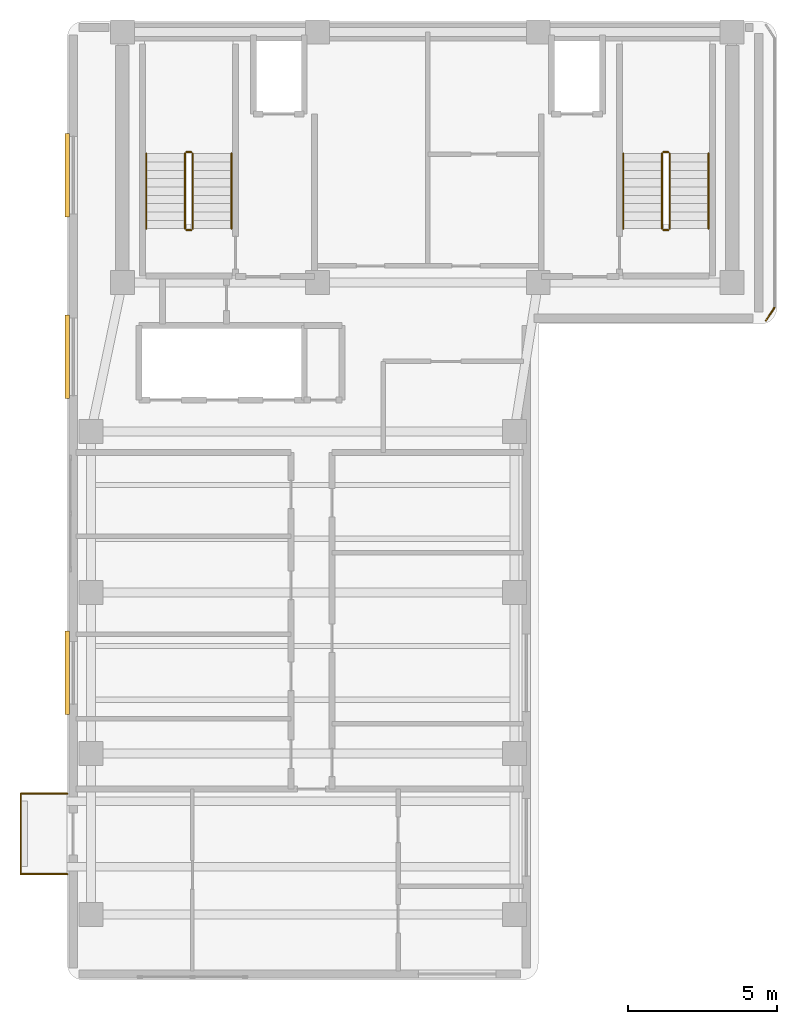
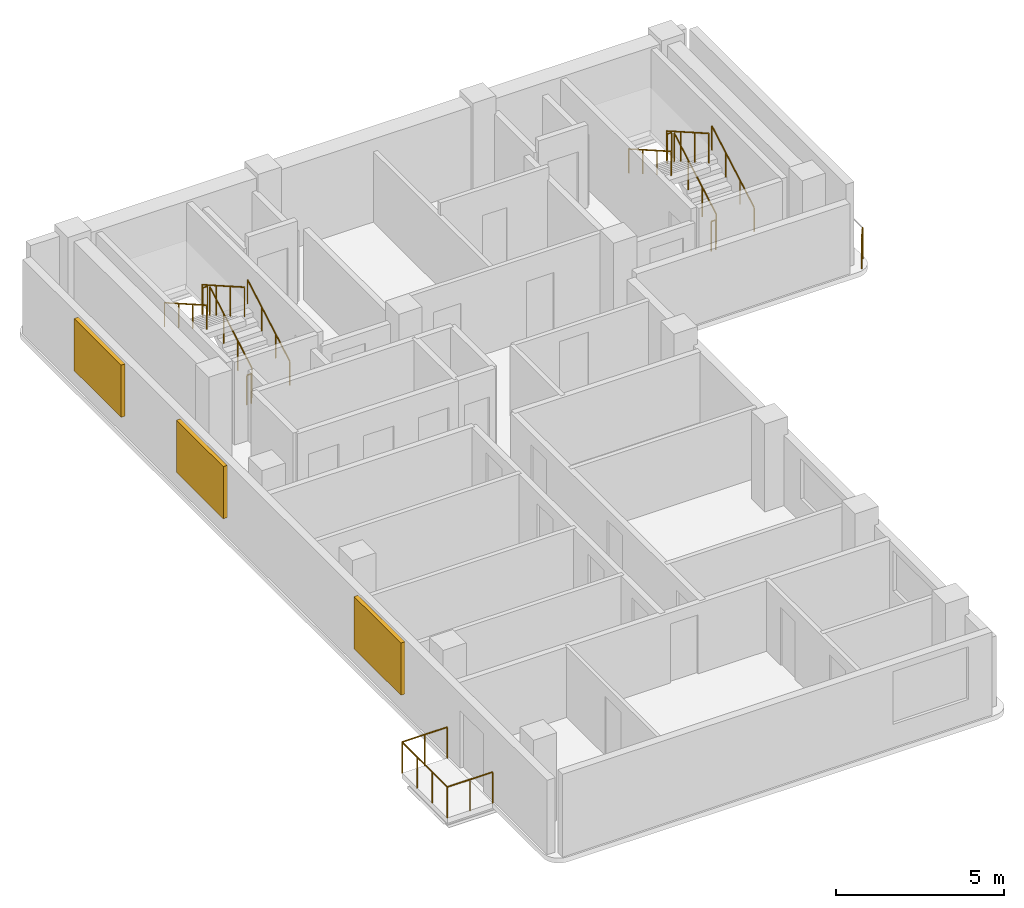
# One storey, part 10 of 11: 16 railings, 3 shading devices.
"""IFC4 building model written with IfcOpenShell, lengths in metres."""

from ifc_helpers import new_model, si_unit, direction, frame, origin, origin_2d, place, context, subcontext, project, spatial, rectangle, circle, extrude, material, layer, layer_set, type_object, element, save


model = new_model("IFC4")

# Units and contexts
model_context = context("Model", 3, precision=1e-05, world=origin(), true_north=direction((0.0, 1.0)))
body_context = subcontext(model_context, "Body", "Model", "MODEL_VIEW")
ifc_project = project(units=[si_unit("LENGTHUNIT", "METRE"), si_unit("AREAUNIT", "SQUARE_METRE"), si_unit("VOLUMEUNIT", "CUBIC_METRE"), si_unit("PLANEANGLEUNIT", "RADIAN"), si_unit("MASSUNIT", "GRAM", prefix="KILO")], contexts=[model_context])

# Site, building, storey
site_placement = place(None, origin())
site = spatial("IfcSite", under=ifc_project, at=site_placement, CompositionType="ELEMENT")
building_placement = place(site_placement, origin())
building = spatial("IfcBuilding", under=site, at=building_placement, Name="Kuzgunbayir Cultural Tower", CompositionType="ELEMENT")
storey_placement = place(building_placement, frame((0.0, 0.0, 237.60009765625)))
storey = spatial("IfcBuildingStorey", under=building, at=storey_placement, Name="L70", CompositionType="ELEMENT", Elevation=237.60009765625)

# Railings
ifc_material_1 = material(Name="Laminated Glass and Stainless Steel", Category="steel")
ifc_layer_1 = layer(ifc_material_1, 0.080078125)
ifc_layer_set_1 = layer_set([ifc_layer_1], Name="Laminated Glass and Stainless Steel")
railing_type_1 = type_object("IfcRailingType", Name="RLG-BAL-115", PredefinedType="BALUSTRADE", material=ifc_layer_set_1)
railing_1_placement = place(storey_placement, frame((4.60009765625, 13.949951171875, 0.0)))
element("IfcRailing", 1, at=railing_1_placement, inside=storey, type_object=railing_type_1, Name="L70 Balcony Guard BAL-L70-WA1 Segment 1", PredefinedType="BALUSTRADE", context=body_context, shape_type="SweptSolid", body=[
    extrude(circle(Radius=0.02392578125, at=origin_2d()), frame((0.0, 0.0, 1.1259765625), z_axis=(-1.0, 0.0, 0.0), x_axis=(0.0, -1.0, 0.0)), (0.0, 0.0, 1.0), 1.56005859375),
    extrude(circle(Radius=0.02099609375, at=origin_2d()), origin(), (0.0, 0.0, 1.0), 1.101806640625),
    extrude(circle(Radius=0.02099609375, at=origin_2d()), frame((-0.780029296875, 0.0, 0.0)), (0.0, 0.0, 1.0), 1.101806640625),
    extrude(circle(Radius=0.02099609375, at=origin_2d()), frame((-1.56005859375, 0.0, 0.0)), (0.0, 0.0, 1.0), 1.101806640625),
])
railing_2_placement = place(storey_placement, frame((3.0400390625, 13.949951171875, 0.0)))
element("IfcRailing", 2, at=railing_2_placement, inside=storey, type_object=railing_type_1, Name="L70 Balcony Guard BAL-L70-WA1 Segment 2", PredefinedType="BALUSTRADE", context=body_context, shape_type="SweptSolid", body=[
    extrude(circle(Radius=0.02392578125, at=origin_2d()), frame((0.0, 0.0, 1.1259765625), z_axis=(0.0, 1.0, 0.0), x_axis=(-1.0, 0.0, 0.0)), (0.0, 0.0, 1.0), 2.699951171875),
    extrude(circle(Radius=0.02099609375, at=origin_2d()), origin(), (0.0, 0.0, 1.0), 1.101806640625),
    extrude(circle(Radius=0.02099609375, at=origin_2d()), frame((0.0, 0.89990234375, 0.0)), (0.0, 0.0, 1.0), 1.101806640625),
    extrude(circle(Radius=0.02099609375, at=origin_2d()), frame((0.0, 1.800048828125, 0.0)), (0.0, 0.0, 1.0), 1.101806640625),
    extrude(circle(Radius=0.02099609375, at=origin_2d()), frame((0.0, 2.699951171875, 0.0)), (0.0, 0.0, 1.0), 1.101806640625),
])
railing_3_placement = place(storey_placement, frame((3.0400390625, 16.64990234375, 0.0)))
element("IfcRailing", 3, at=railing_3_placement, inside=storey, type_object=railing_type_1, Name="L70 Balcony Guard BAL-L70-WA1 Segment 3", PredefinedType="BALUSTRADE", context=body_context, shape_type="SweptSolid", body=[
    extrude(circle(Radius=0.02392578125, at=origin_2d()), frame((0.0, 0.0, 1.1259765625), z_axis=(1.0, 0.0, 0.0), x_axis=(0.0, 1.0, 0.0)), (0.0, 0.0, 1.0), 1.56005859375),
    extrude(circle(Radius=0.02099609375, at=origin_2d()), origin(), (0.0, 0.0, 1.0), 1.101806640625),
    extrude(circle(Radius=0.02099609375, at=origin_2d()), frame((0.780029296875, 0.0, 0.0)), (0.0, 0.0, 1.0), 1.101806640625),
    extrude(circle(Radius=0.02099609375, at=origin_2d()), frame((1.56005859375, 0.0, 0.0)), (0.0, 0.0, 1.0), 1.101806640625),
])
railing_4_placement = place(storey_placement, frame((28.320068359375, 32.949951171875, 0.0)))
element("IfcRailing", 4, at=railing_4_placement, inside=storey, type_object=railing_type_1, Name="L70 Perimeter Edge Guard 3", PredefinedType="BALUSTRADE", context=body_context, shape_type="SweptSolid", body=[
    extrude(circle(Radius=0.02392578125, at=origin_2d()), frame((0.0, 0.0, 1.1259765625), z_axis=(-0.545774188207, -0.837932297675, 0.0), x_axis=(0.837932297675, -0.545774188207, 0.0)), (0.0, 0.0, 1.0), 0.51318359375),
    extrude(circle(Radius=0.02099609375, at=origin_2d()), origin(), (0.0, 0.0, 1.0), 1.101806640625),
    extrude(circle(Radius=0.02099609375, at=origin_2d()), frame((-0.280029296875, -0.429931640625, 0.0)), (0.0, 0.0, 1.0), 1.101806640625),
])
ifc_material_2 = material(Name="Brushed Stainless Steel", Category="steel")
ifc_layer_2 = layer(ifc_material_2, 0.050048828125)
ifc_layer_set_2 = layer_set([ifc_layer_2], Name="Brushed Stainless Steel")
railing_type_2 = type_object("IfcRailingType", Name="RLG-STAIR-HANDRAIL", PredefinedType="HANDRAIL", material=ifc_layer_set_2)
railing_5_placement = place(storey_placement, frame((10.110107421875, 35.60009765625, 0.159912109375)))
element("IfcRailing", 5, at=railing_5_placement, inside=storey, type_object=railing_type_2, Name="L70 ST-1 stair handrail 1", PredefinedType="HANDRAIL", context=body_context, shape_type="SweptSolid", body=[
    extrude(circle(Radius=0.02392578125, at=origin_2d()), frame((0.0, 0.0, 0.8759765625), z_axis=(0.0, 0.868253494771, 0.496120820787), x_axis=(-1.0, 0.0, 0.0)), (0.0, 0.0, 1.0), 2.90234375),
    extrude(circle(Radius=0.02099609375, at=origin_2d()), origin(), (0.0, 0.0, 1.0), 0.851806640625),
    extrude(circle(Radius=0.02099609375, at=origin_2d()), frame((0.0, 0.840087890625, 0.47998046875)), (0.0, 0.0, 1.0), 0.851806640625),
    extrude(circle(Radius=0.02099609375, at=origin_2d()), frame((0.0, 1.679931640625, 0.9599609375)), (0.0, 0.0, 1.0), 0.851806640625),
    extrude(circle(Radius=0.02099609375, at=origin_2d()), frame((0.0, 2.52001953125, 1.43994140625)), (0.0, 0.0, 1.0), 0.851806640625),
])
railing_6_placement = place(storey_placement, frame((7.25, 38.1201171875, 1.760009765625)))
element("IfcRailing", 6, at=railing_6_placement, inside=storey, type_object=railing_type_2, Name="L70 ST-1 stair handrail 2", PredefinedType="HANDRAIL", context=body_context, shape_type="SweptSolid", body=[
    extrude(circle(Radius=0.02392578125, at=origin_2d()), frame((0.0, 0.0, 0.8759765625), z_axis=(0.0, -0.868253494771, 0.496120820787), x_axis=(1.0, 0.0, 0.0)), (0.0, 0.0, 1.0), 2.90234375),
    extrude(circle(Radius=0.02099609375, at=origin_2d()), origin(), (0.0, 0.0, 1.0), 0.851806640625),
    extrude(circle(Radius=0.02099609375, at=origin_2d()), frame((0.0, -0.840087890625, 0.47998046875)), (0.0, 0.0, 1.0), 0.851806640625),
    extrude(circle(Radius=0.02099609375, at=origin_2d()), frame((0.0, -1.679931640625, 0.9599609375)), (0.0, 0.0, 1.0), 0.851806640625),
    extrude(circle(Radius=0.02099609375, at=origin_2d()), frame((0.0, -2.52001953125, 1.43994140625)), (0.0, 0.0, 1.0), 0.851806640625),
])
railing_7_placement = place(storey_placement, frame((26.110107421875, 35.60009765625, 0.159912109375)))
element("IfcRailing", 7, at=railing_7_placement, inside=storey, type_object=railing_type_2, Name="L70 ST-2 stair handrail 1", PredefinedType="HANDRAIL", context=body_context, shape_type="SweptSolid", body=[
    extrude(circle(Radius=0.02392578125, at=origin_2d()), frame((0.0, 0.0, 0.8759765625), z_axis=(0.0, 0.868253494771, 0.496120820787), x_axis=(-1.0, 0.0, 0.0)), (0.0, 0.0, 1.0), 2.90234375),
    extrude(circle(Radius=0.02099609375, at=origin_2d()), origin(), (0.0, 0.0, 1.0), 0.851806640625),
    extrude(circle(Radius=0.02099609375, at=origin_2d()), frame((0.0, 0.840087890625, 0.47998046875)), (0.0, 0.0, 1.0), 0.851806640625),
    extrude(circle(Radius=0.02099609375, at=origin_2d()), frame((0.0, 1.679931640625, 0.9599609375)), (0.0, 0.0, 1.0), 0.851806640625),
    extrude(circle(Radius=0.02099609375, at=origin_2d()), frame((0.0, 2.52001953125, 1.43994140625)), (0.0, 0.0, 1.0), 0.851806640625),
])
railing_8_placement = place(storey_placement, frame((23.25, 38.1201171875, 1.760009765625)))
element("IfcRailing", 8, at=railing_8_placement, inside=storey, type_object=railing_type_2, Name="L70 ST-2 stair handrail 2", PredefinedType="HANDRAIL", context=body_context, shape_type="SweptSolid", body=[
    extrude(circle(Radius=0.02392578125, at=origin_2d()), frame((0.0, 0.0, 0.8759765625), z_axis=(0.0, -0.868253494771, 0.496120820787), x_axis=(1.0, 0.0, 0.0)), (0.0, 0.0, 1.0), 2.90234375),
    extrude(circle(Radius=0.02099609375, at=origin_2d()), origin(), (0.0, 0.0, 1.0), 0.851806640625),
    extrude(circle(Radius=0.02099609375, at=origin_2d()), frame((0.0, -0.840087890625, 0.47998046875)), (0.0, 0.0, 1.0), 0.851806640625),
    extrude(circle(Radius=0.02099609375, at=origin_2d()), frame((0.0, -1.679931640625, 0.9599609375)), (0.0, 0.0, 1.0), 0.851806640625),
    extrude(circle(Radius=0.02099609375, at=origin_2d()), frame((0.0, -2.52001953125, 1.43994140625)), (0.0, 0.0, 1.0), 0.851806640625),
])
ifc_material_3 = material(Name="Painted Steel Balustrade", Category="steel")
ifc_layer_3 = layer(ifc_material_3, 0.06005859375)
ifc_layer_set_3 = layer_set([ifc_layer_3], Name="Painted Steel Balustrade")
railing_type_3 = type_object("IfcRailingType", Name="RLG-WELL-GUARD", PredefinedType="GUARDRAIL", material=ifc_layer_set_3)
railing_9_placement = place(storey_placement, frame((8.81005859375, 35.60009765625, 0.159912109375)))
element("IfcRailing", 9, at=railing_9_placement, inside=storey, type_object=railing_type_3, Name="L70 ST-1 stair guard 1", PredefinedType="GUARDRAIL", context=body_context, shape_type="SweptSolid", body=[
    extrude(circle(Radius=0.02392578125, at=origin_2d()), frame((0.0, 0.0, 1.076171875), z_axis=(0.0, 0.868253494771, 0.496120820787), x_axis=(-1.0, 0.0, 0.0)), (0.0, 0.0, 1.0), 2.90234375),
    extrude(circle(Radius=0.02099609375, at=origin_2d()), origin(), (0.0, 0.0, 1.0), 1.052001953125),
    extrude(circle(Radius=0.02099609375, at=origin_2d()), frame((0.0, 0.840087890625, 0.47998046875)), (0.0, 0.0, 1.0), 1.052001953125),
    extrude(circle(Radius=0.02099609375, at=origin_2d()), frame((0.0, 1.679931640625, 0.9599609375)), (0.0, 0.0, 1.0), 1.052001953125),
    extrude(circle(Radius=0.02099609375, at=origin_2d()), frame((0.0, 2.52001953125, 1.43994140625)), (0.0, 0.0, 1.0), 1.052001953125),
])
railing_10_placement = place(storey_placement, frame((8.760009765625, 38.169921875, 1.599853515625)))
element("IfcRailing", 10, at=railing_10_placement, inside=storey, type_object=railing_type_3, Name="L70 ST-1 stair guard 2", PredefinedType="GUARDRAIL", context=body_context, shape_type="SweptSolid", body=[
    extrude(circle(Radius=0.02392578125, at=origin_2d()), frame((0.0, 0.0, 1.076171875), z_axis=(-1.0, 0.0, 0.0), x_axis=(0.0, -1.0, 0.0)), (0.0, 0.0, 1.0), 0.159912109375),
    extrude(circle(Radius=0.02099609375, at=origin_2d()), origin(), (0.0, 0.0, 1.0), 1.052001953125),
    extrude(circle(Radius=0.02099609375, at=origin_2d()), frame((-0.159912109375, 0.0, 0.0)), (0.0, 0.0, 1.0), 1.052001953125),
])
railing_11_placement = place(storey_placement, frame((8.550048828125, 38.1201171875, 1.760009765625)))
element("IfcRailing", 11, at=railing_11_placement, inside=storey, type_object=railing_type_3, Name="L70 ST-1 stair guard 3", PredefinedType="GUARDRAIL", context=body_context, shape_type="SweptSolid", body=[
    extrude(circle(Radius=0.02392578125, at=origin_2d()), frame((0.0, 0.0, 1.076171875), z_axis=(0.0, -0.868253494771, 0.496120820787), x_axis=(1.0, 0.0, 0.0)), (0.0, 0.0, 1.0), 2.90234375),
    extrude(circle(Radius=0.02099609375, at=origin_2d()), origin(), (0.0, 0.0, 1.0), 1.052001953125),
    extrude(circle(Radius=0.02099609375, at=origin_2d()), frame((0.0, -0.840087890625, 0.47998046875)), (0.0, 0.0, 1.0), 1.052001953125),
    extrude(circle(Radius=0.02099609375, at=origin_2d()), frame((0.0, -1.679931640625, 0.9599609375)), (0.0, 0.0, 1.0), 1.052001953125),
    extrude(circle(Radius=0.02099609375, at=origin_2d()), frame((0.0, -2.52001953125, 1.43994140625)), (0.0, 0.0, 1.0), 1.052001953125),
])
railing_12_placement = place(storey_placement, frame((8.760009765625, 35.550048828125, 0.0)))
element("IfcRailing", 12, at=railing_12_placement, inside=storey, type_object=railing_type_3, Name="L70 ST-1 stair guard 4", PredefinedType="GUARDRAIL", context=body_context, shape_type="SweptSolid", body=[
    extrude(circle(Radius=0.02392578125, at=origin_2d()), frame((0.0, 0.0, 1.076171875), z_axis=(-1.0, 0.0, 0.0), x_axis=(0.0, -1.0, 0.0)), (0.0, 0.0, 1.0), 0.159912109375),
    extrude(circle(Radius=0.02099609375, at=origin_2d()), origin(), (0.0, 0.0, 1.0), 1.052001953125),
    extrude(circle(Radius=0.02099609375, at=origin_2d()), frame((-0.159912109375, 0.0, 0.0)), (0.0, 0.0, 1.0), 1.052001953125),
])
railing_13_placement = place(storey_placement, frame((24.81005859375, 35.60009765625, 0.159912109375)))
element("IfcRailing", 13, at=railing_13_placement, inside=storey, type_object=railing_type_3, Name="L70 ST-2 stair guard 1", PredefinedType="GUARDRAIL", context=body_context, shape_type="SweptSolid", body=[
    extrude(circle(Radius=0.02392578125, at=origin_2d()), frame((0.0, 0.0, 1.076171875), z_axis=(0.0, 0.868253494771, 0.496120820787), x_axis=(-1.0, 0.0, 0.0)), (0.0, 0.0, 1.0), 2.90234375),
    extrude(circle(Radius=0.02099609375, at=origin_2d()), origin(), (0.0, 0.0, 1.0), 1.052001953125),
    extrude(circle(Radius=0.02099609375, at=origin_2d()), frame((0.0, 0.840087890625, 0.47998046875)), (0.0, 0.0, 1.0), 1.052001953125),
    extrude(circle(Radius=0.02099609375, at=origin_2d()), frame((0.0, 1.679931640625, 0.9599609375)), (0.0, 0.0, 1.0), 1.052001953125),
    extrude(circle(Radius=0.02099609375, at=origin_2d()), frame((0.0, 2.52001953125, 1.43994140625)), (0.0, 0.0, 1.0), 1.052001953125),
])
railing_14_placement = place(storey_placement, frame((24.760009765625, 38.169921875, 1.599853515625)))
element("IfcRailing", 14, at=railing_14_placement, inside=storey, type_object=railing_type_3, Name="L70 ST-2 stair guard 2", PredefinedType="GUARDRAIL", context=body_context, shape_type="SweptSolid", body=[
    extrude(circle(Radius=0.02392578125, at=origin_2d()), frame((0.0, 0.0, 1.076171875), z_axis=(-1.0, 0.0, 0.0), x_axis=(0.0, -1.0, 0.0)), (0.0, 0.0, 1.0), 0.159912109375),
    extrude(circle(Radius=0.02099609375, at=origin_2d()), origin(), (0.0, 0.0, 1.0), 1.052001953125),
    extrude(circle(Radius=0.02099609375, at=origin_2d()), frame((-0.159912109375, 0.0, 0.0)), (0.0, 0.0, 1.0), 1.052001953125),
])
railing_15_placement = place(storey_placement, frame((24.550048828125, 38.1201171875, 1.760009765625)))
element("IfcRailing", 15, at=railing_15_placement, inside=storey, type_object=railing_type_3, Name="L70 ST-2 stair guard 3", PredefinedType="GUARDRAIL", context=body_context, shape_type="SweptSolid", body=[
    extrude(circle(Radius=0.02392578125, at=origin_2d()), frame((0.0, 0.0, 1.076171875), z_axis=(0.0, -0.868253494771, 0.496120820787), x_axis=(1.0, 0.0, 0.0)), (0.0, 0.0, 1.0), 2.90234375),
    extrude(circle(Radius=0.02099609375, at=origin_2d()), origin(), (0.0, 0.0, 1.0), 1.052001953125),
    extrude(circle(Radius=0.02099609375, at=origin_2d()), frame((0.0, -0.840087890625, 0.47998046875)), (0.0, 0.0, 1.0), 1.052001953125),
    extrude(circle(Radius=0.02099609375, at=origin_2d()), frame((0.0, -1.679931640625, 0.9599609375)), (0.0, 0.0, 1.0), 1.052001953125),
    extrude(circle(Radius=0.02099609375, at=origin_2d()), frame((0.0, -2.52001953125, 1.43994140625)), (0.0, 0.0, 1.0), 1.052001953125),
])
railing_16_placement = place(storey_placement, frame((24.760009765625, 35.550048828125, 0.0)))
element("IfcRailing", 16, at=railing_16_placement, inside=storey, type_object=railing_type_3, Name="L70 ST-2 stair guard 4", PredefinedType="GUARDRAIL", context=body_context, shape_type="SweptSolid", body=[
    extrude(circle(Radius=0.02392578125, at=origin_2d()), frame((0.0, 0.0, 1.076171875), z_axis=(-1.0, 0.0, 0.0), x_axis=(0.0, -1.0, 0.0)), (0.0, 0.0, 1.0), 0.159912109375),
    extrude(circle(Radius=0.02099609375, at=origin_2d()), origin(), (0.0, 0.0, 1.0), 1.052001953125),
    extrude(circle(Radius=0.02099609375, at=origin_2d()), frame((-0.159912109375, 0.0, 0.0)), (0.0, 0.0, 1.0), 1.052001953125),
])

# Shading devices
ifc_material_4 = material(Name="Perforated Bronze-Anodised Aluminium", Category="aluminium")
shading_device_type = type_object("IfcShadingDeviceType", Name="SHD-SOLAR-BRONZE", PredefinedType="JALOUSIE", material=ifc_material_4)
for number, where, z_axis, x_axis, name in (
    (17, (4.60009765625, 20.699951171875, 0.699951171875), (0.0, 0.0, 1.0), (1.0, 0.0, 0.0), "L70 Perforated Bronze Solar Screen WAW3"),
    (18, (4.60009765625, 31.300048828125, 0.699951171875), (0.0, 0.0, 1.0), (1.0, 0.0, 0.0), "L70 Perforated Bronze Solar Screen WAW4"),
    (19, (4.60009765625, 37.39990234375, 0.699951171875), (0.0, 0.0, 1.0), (1.0, 0.0, 0.0), "L70 Perforated Bronze Solar Screen WAW5"),
):
    element("IfcShadingDevice", number, at=place(storey_placement, frame(where, z_axis=z_axis, x_axis=x_axis)), inside=storey, type_object=shading_device_type, Name=name, PredefinedType="JALOUSIE", context=body_context, shape_type="SweptSolid", body=[
        extrude(rectangle(XDim=0.139892578125, YDim=2.800048828125, at=origin_2d()), origin(), (0.0, 0.0, 1.0), 1.89990234375),
    ])

save(model, "model.ifc")
